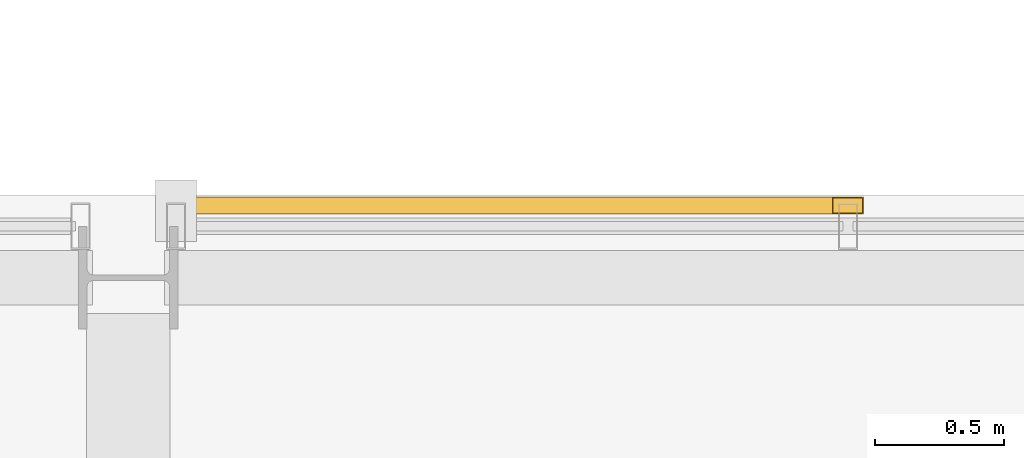
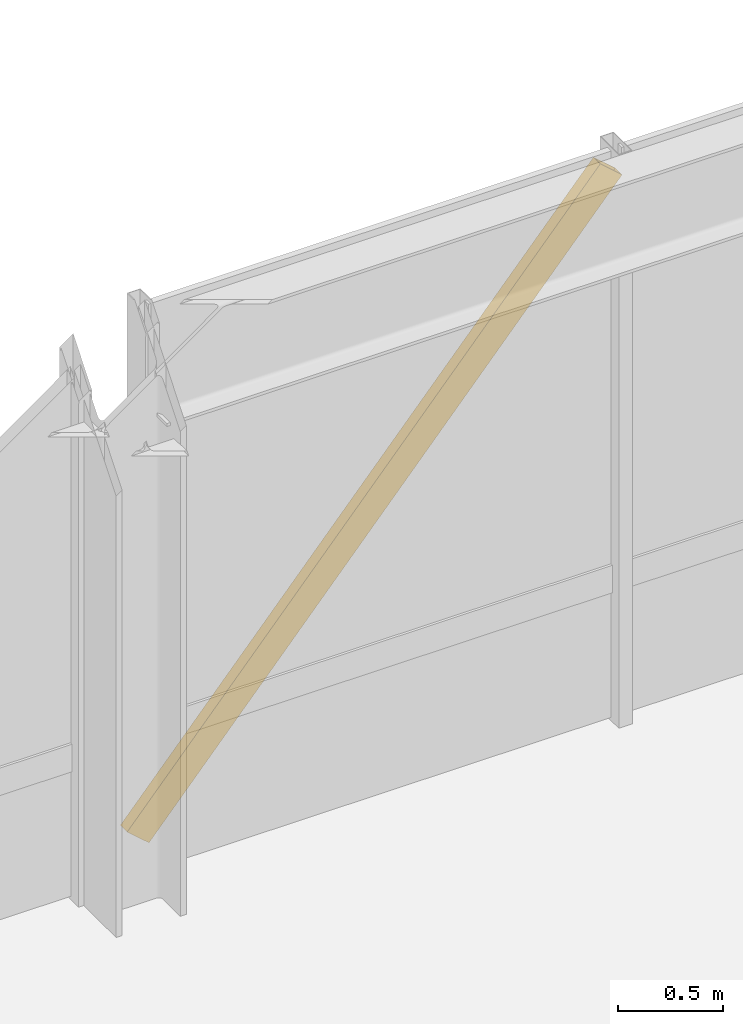
# One storey, part 32 of 32: 1 shading device.
"""IFC4 building model written with IfcOpenShell, lengths in metres."""

from ifc_helpers import new_model, si_unit, direction, frame, origin, origin_2d, place, context, subcontext, project, spatial, hollow_rectangle, extrude, material, material_profile, profile_set, type_object, element, save


model = new_model("IFC4")

# Units and contexts
model_context = context("Model", 3, precision=1e-05, world=origin(), true_north=direction((0.0, 1.0)))
body_context = subcontext(model_context, "Body", "Model", "MODEL_VIEW")
ifc_project = project(units=[si_unit("LENGTHUNIT", "METRE"), si_unit("AREAUNIT", "SQUARE_METRE"), si_unit("VOLUMEUNIT", "CUBIC_METRE"), si_unit("PLANEANGLEUNIT", "RADIAN"), si_unit("MASSUNIT", "GRAM", prefix="KILO")], contexts=[model_context])

# Site, building, storey
site_placement = place(None, origin())
site = spatial("IfcSite", under=ifc_project, at=site_placement, CompositionType="ELEMENT")
building_placement = place(site_placement, origin())
building = spatial("IfcBuilding", under=site, at=building_placement, Name="Drelvath Grand Hotel", CompositionType="ELEMENT")
storey_placement = place(building_placement, frame((0.0, 0.0, 233.89990234375)))
storey = spatial("IfcBuildingStorey", under=building, at=storey_placement, Name="L61", CompositionType="ELEMENT", Elevation=233.89990234375)

# Shading device
ifc_material = material(Name="Platinum-Mist Anodised Aluminium", Category="aluminium")
ifc_material_profile = material_profile(ifc_material, hollow_rectangle(XDim=0.06494140625, YDim=0.159912109375, WallThickness=0.00390625, at=origin_2d()), Name="HSS160X65X4")
ifc_profile_set = profile_set([ifc_material_profile], Name="Platinum-Mist Anodised Aluminium")
shading_device_type = type_object("IfcShadingDeviceType", Name="Diagonal Solar Fin Platinum Anodised HSS160X65X4", PredefinedType="USERDEFINED", material=ifc_profile_set)
shading_device_placement = place(storey_placement, frame((0.185302734375, 48.47998046875, 0.18017578125), z_axis=(0.658495877641, 0.0, 0.752584333566), x_axis=(0.0, 1.0, 0.0)))
element("IfcShadingDevice", 1, at=shading_device_placement, inside=storey, type_object=shading_device_type, Name="L61 Diagonal Anodised Fin CW05-L61-NM2", ObjectType="FIN", PredefinedType="USERDEFINED", context=body_context, shape_type="SweptSolid", body=[
    extrude(hollow_rectangle(XDim=0.06494140625, YDim=0.159912109375, WallThickness=0.00390625, at=origin_2d()), origin(), (0.0, 0.0, 1.0), 3.959716796875),
])

save(model, "model.ifc")
